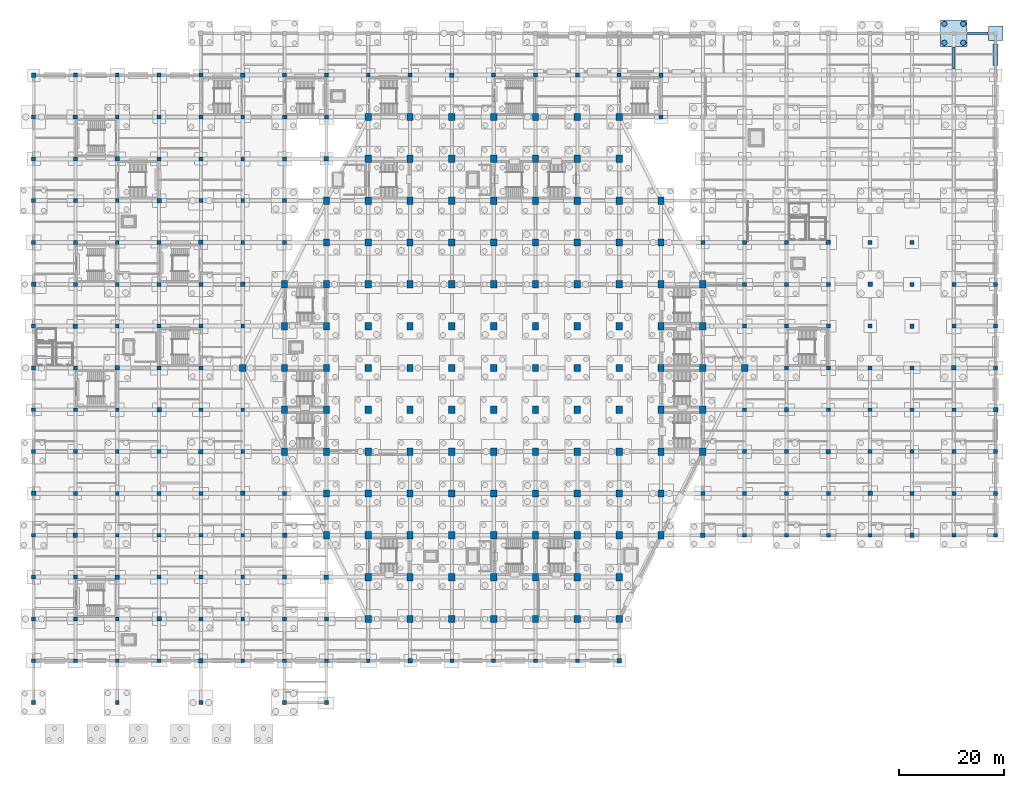
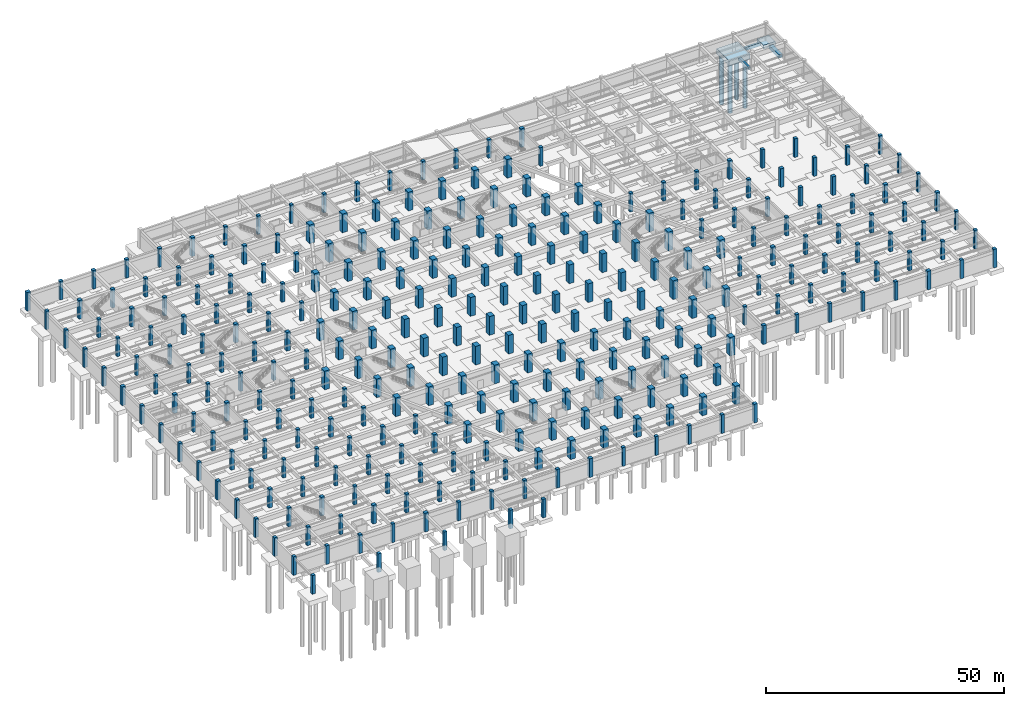
# One storey, part 16 of 36: 303 columns, 5 footings, 4 piles.
"""IFC4 building model written with IfcOpenShell, lengths in metres."""

from ifc_helpers import new_model, si_unit, direction, frame, origin, origin_2d, place, context, subcontext, project, spatial, rectangle, circle, extrude, material, material_profile, profile_set, type_object, element, save


model = new_model("IFC4")

# Units and contexts
model_context = context("Model", 3, precision=1e-05, world=origin(), true_north=direction((0.0, 1.0)))
body_context = subcontext(model_context, "Body", "Model", "MODEL_VIEW")
ifc_project = project(units=[si_unit("LENGTHUNIT", "METRE"), si_unit("AREAUNIT", "SQUARE_METRE"), si_unit("VOLUMEUNIT", "CUBIC_METRE"), si_unit("PLANEANGLEUNIT", "RADIAN"), si_unit("MASSUNIT", "GRAM", prefix="KILO")], contexts=[model_context])

# Site, building, storey
site_placement = place(None, origin())
site = spatial("IfcSite", under=ifc_project, at=site_placement, CompositionType="ELEMENT")
building_placement = place(site_placement, origin())
building = spatial("IfcBuilding", under=site, at=building_placement, Name="Tazarka Park Arena", CompositionType="ELEMENT")
storey_placement = place(building_placement, frame((0.0, 0.0, -4.800048828125)))
storey = spatial("IfcBuildingStorey", under=building, at=storey_placement, Name="B1", CompositionType="ELEMENT", Elevation=-4.800048828125)

# Footings
ifc_material_1 = material(Name="Concrete C35/45", Category="concrete")
footing_type_1 = type_object("IfcFootingType", Name="CAP-PC-08", PredefinedType="PILE_CAP", material=ifc_material_1)
footing_1_placement = place(storey_placement, frame((176.0, 128.0, -1.35009765625), z_axis=(0.0, 0.0, 1.0), x_axis=(1.0, 0.0, 0.0)))
element("IfcFooting", 1, at=footing_1_placement, inside=storey, type_object=footing_type_1, Name="CAP-G-22-16", PredefinedType="PILE_CAP", context=body_context, shape_type="SweptSolid", body=[
    extrude(rectangle(XDim=5.10009765625, YDim=5.10009765625, at=origin_2d()), origin(), (0.0, 0.0, 1.0), 1.35009765625),
])
ifc_material_2 = material(Name="Concrete C35/45", Category="concrete")
ifc_material_profile_1 = material_profile(ifc_material_2, rectangle(XDim=0.449951171875, YDim=0.699951171875, at=origin_2d()), Name="Concrete C35/45")
ifc_profile_set_1 = profile_set([ifc_material_profile_1], Name="Concrete C35/45")
footing_type_2 = type_object("IfcFootingType", Name="GB-GB-01", PredefinedType="FOOTING_BEAM", material=ifc_profile_set_1)
footing_2_placement = place(storey_placement, frame((176.0, 121.179931640625, -0.349853515625), z_axis=(0.0, 1.0, 0.0), x_axis=(-1.0, 0.0, 0.0)))
element("IfcFooting", 2, at=footing_2_placement, inside=storey, type_object=footing_type_2, Name="GB-Y-22-15", PredefinedType="FOOTING_BEAM", context=body_context, shape_type="SweptSolid", body=[
    extrude(rectangle(XDim=0.449951171875, YDim=0.699951171875, at=origin_2d()), origin(), (0.0, 0.0, 1.0), 4.190185546875),
])
ifc_material_3 = material(Name="Concrete C35/45", Category="concrete")
ifc_material_profile_2 = material_profile(ifc_material_3, rectangle(XDim=0.5, YDim=0.800048828125, at=origin_2d()), Name="Concrete C35/45")
ifc_profile_set_2 = profile_set([ifc_material_profile_2], Name="Concrete C35/45")
footing_type_3 = type_object("IfcFootingType", Name="GB-GB-02", PredefinedType="FOOTING_BEAM", material=ifc_profile_set_2)
footing_3_placement = place(storey_placement, frame((178.6298828125, 128.0, -0.39990234375), z_axis=(1.0, 0.0, 0.0), x_axis=(0.0, 1.0, 0.0)))
element("IfcFooting", 3, at=footing_3_placement, inside=storey, type_object=footing_type_3, Name="GB-X-22-16", PredefinedType="FOOTING_BEAM", context=body_context, shape_type="SweptSolid", body=[
    extrude(rectangle(XDim=0.5, YDim=0.800048828125, at=origin_2d()), origin(), (0.0, 0.0, 1.0), 3.89013671875),
])
ifc_material_4 = material(Name="Concrete C35/45", Category="concrete")
footing_type_4 = type_object("IfcFootingType", Name="PAD-PF-02", PredefinedType="PAD_FOOTING", material=ifc_material_4)
footing_4_placement = place(storey_placement, frame((184.0, 128.0, -1.0), z_axis=(0.0, 0.0, 1.0), x_axis=(1.0, 0.0, 0.0)))
element("IfcFooting", 4, at=footing_4_placement, inside=storey, type_object=footing_type_4, Name="PAD-G-23-16", PredefinedType="PAD_FOOTING", context=body_context, shape_type="SweptSolid", body=[
    extrude(rectangle(XDim=2.800048828125, YDim=2.800048828125, at=origin_2d()), origin(), (0.0, 0.0, 1.0), 1.0),
])

# Piles
ifc_material_5 = material(Name="Concrete C35/45", Category="concrete")
ifc_material_profile_3 = material_profile(ifc_material_5, circle(Radius=0.5, at=origin_2d()), Name="Concrete C35/45")
ifc_profile_set_3 = profile_set([ifc_material_profile_3], Name="Concrete C35/45")
pile_type = type_object("IfcPileType", Name="PILE-D1000", PredefinedType="BORED", material=ifc_profile_set_3)
for number, where, z_axis, x_axis, name in (
    (5, (174.18994140625, 126.18994140625, -1.25), (0.0, 0.0, -1.0), (1.0, 0.0, 0.0), "PLN-G-22-16-1"),
    (6, (177.81005859375, 126.18994140625, -1.25), (0.0, 0.0, -1.0), (1.0, 0.0, 0.0), "PLN-G-22-16-2"),
    (7, (174.18994140625, 129.81005859375, -1.25), (0.0, 0.0, -1.0), (1.0, 0.0, 0.0), "PLN-G-22-16-3"),
    (8, (177.81005859375, 129.81005859375, -1.25), (0.0, 0.0, -1.0), (1.0, 0.0, 0.0), "PLN-G-22-16-4"),
):
    element("IfcPile", number, at=place(storey_placement, frame(where, z_axis=z_axis, x_axis=x_axis)), inside=storey, type_object=pile_type, Name=name, PredefinedType="BORED", context=body_context, shape_type="SweptSolid", body=[
        extrude(circle(Radius=0.5, at=origin_2d()), origin(), (0.0, 0.0, 1.0), 12.75),
    ])

# Footing
ifc_material_6 = material(Name="Concrete C35/45", Category="concrete")
ifc_material_profile_4 = material_profile(ifc_material_6, rectangle(XDim=0.949951171875, YDim=0.85009765625, at=origin_2d()), Name="Concrete C35/45")
ifc_profile_set_4 = profile_set([ifc_material_profile_4], Name="Concrete C35/45")
footing_type_5 = type_object("IfcFootingType", Name="SF-SF-01", PredefinedType="STRIP_FOOTING", material=ifc_profile_set_4)
footing_5_placement = place(storey_placement, frame((184.0, 125.919921875, -0.425048828125), z_axis=(0.0, -1.0, 0.0), x_axis=(1.0, 0.0, 0.0)))
element("IfcFooting", 9, at=footing_5_placement, inside=storey, type_object=footing_type_5, Name="SF-EW-0012", PredefinedType="STRIP_FOOTING", context=body_context, shape_type="SweptSolid", body=[
    extrude(rectangle(XDim=0.949951171875, YDim=0.85009765625, at=origin_2d()), origin(), (0.0, 0.0, 1.0), 4.0400390625),
])

# Columns
ifc_material_7 = material(Name="Concrete C40/50", Category="concrete")
ifc_material_profile_5 = material_profile(ifc_material_7, rectangle(XDim=0.75, YDim=0.75, at=origin_2d()), Name="Concrete C40/50")
ifc_profile_set_5 = profile_set([ifc_material_profile_5], Name="Concrete C40/50")
column_type_1 = type_object("IfcColumnType", Name="COL-C-02", PredefinedType="COLUMN", material=ifc_profile_set_5)
for number, where, z_axis, x_axis, name in (
    (10, (0.0, 8.0, 0.0), (0.0, 0.0, 1.0), (1.0, 0.0, 0.0), "CLM-B1-00-01"),
    (11, (0.0, 16.0, 0.0), (0.0, 0.0, 1.0), (1.0, 0.0, 0.0), "CLM-B1-00-02"),
    (12, (0.0, 24.0, 0.0), (0.0, 0.0, 1.0), (1.0, 0.0, 0.0), "CLM-B1-00-03"),
    (13, (0.0, 32.0, 0.0), (0.0, 0.0, 1.0), (1.0, 0.0, 0.0), "CLM-B1-00-04"),
    (14, (0.0, 48.0, 0.0), (0.0, 0.0, 1.0), (1.0, 0.0, 0.0), "CLM-B1-00-06"),
    (15, (0.0, 56.0, 0.0), (0.0, 0.0, 1.0), (1.0, 0.0, 0.0), "CLM-B1-00-07"),
    (16, (0.0, 64.0, 0.0), (0.0, 0.0, 1.0), (1.0, 0.0, 0.0), "CLM-B1-00-08"),
    (17, (0.0, 72.0, 0.0), (0.0, 0.0, 1.0), (1.0, 0.0, 0.0), "CLM-B1-00-09"),
    (18, (0.0, 88.0, 0.0), (0.0, 0.0, 1.0), (1.0, 0.0, 0.0), "CLM-B1-00-11"),
    (19, (0.0, 96.0, 0.0), (0.0, 0.0, 1.0), (1.0, 0.0, 0.0), "CLM-B1-00-12"),
    (20, (0.0, 104.0, 0.0), (0.0, 0.0, 1.0), (1.0, 0.0, 0.0), "CLM-B1-00-13"),
    (21, (0.0, 112.0, 0.0), (0.0, 0.0, 1.0), (1.0, 0.0, 0.0), "CLM-B1-00-14"),
    (22, (8.0, 8.0, 0.0), (0.0, 0.0, 1.0), (1.0, 0.0, 0.0), "CLM-B1-01-01"),
    (23, (8.0, 16.0, 0.0), (0.0, 0.0, 1.0), (1.0, 0.0, 0.0), "CLM-B1-01-02"),
    (24, (8.0, 24.0, 0.0), (0.0, 0.0, 1.0), (1.0, 0.0, 0.0), "CLM-B1-01-03"),
    (25, (8.0, 40.0, 0.0), (0.0, 0.0, 1.0), (1.0, 0.0, 0.0), "CLM-B1-01-05"),
    (26, (8.0, 48.0, 0.0), (0.0, 0.0, 1.0), (1.0, 0.0, 0.0), "CLM-B1-01-06"),
    (27, (8.0, 56.0, 0.0), (0.0, 0.0, 1.0), (1.0, 0.0, 0.0), "CLM-B1-01-07"),
    (28, (8.0, 64.0, 0.0), (0.0, 0.0, 1.0), (1.0, 0.0, 0.0), "CLM-B1-01-08"),
    (29, (8.0, 80.0, 0.0), (0.0, 0.0, 1.0), (1.0, 0.0, 0.0), "CLM-B1-01-10"),
    (30, (8.0, 88.0, 0.0), (0.0, 0.0, 1.0), (1.0, 0.0, 0.0), "CLM-B1-01-11"),
    (31, (8.0, 96.0, 0.0), (0.0, 0.0, 1.0), (1.0, 0.0, 0.0), "CLM-B1-01-12"),
    (32, (8.0, 104.0, 0.0), (0.0, 0.0, 1.0), (1.0, 0.0, 0.0), "CLM-B1-01-13"),
    (33, (8.0, 120.0, 0.0), (0.0, 0.0, 1.0), (1.0, 0.0, 0.0), "CLM-B1-01-15"),
    (34, (16.0, 8.0, 0.0), (0.0, 0.0, 1.0), (1.0, 0.0, 0.0), "CLM-B1-02-01"),
    (35, (16.0, 16.0, 0.0), (0.0, 0.0, 1.0), (1.0, 0.0, 0.0), "CLM-B1-02-02"),
    (36, (16.0, 32.0, 0.0), (0.0, 0.0, 1.0), (1.0, 0.0, 0.0), "CLM-B1-02-04"),
    (37, (16.0, 40.0, 0.0), (0.0, 0.0, 1.0), (1.0, 0.0, 0.0), "CLM-B1-02-05"),
    (38, (16.0, 48.0, 0.0), (0.0, 0.0, 1.0), (1.0, 0.0, 0.0), "CLM-B1-02-06"),
    (39, (16.0, 56.0, 0.0), (0.0, 0.0, 1.0), (1.0, 0.0, 0.0), "CLM-B1-02-07"),
    (40, (16.0, 72.0, 0.0), (0.0, 0.0, 1.0), (1.0, 0.0, 0.0), "CLM-B1-02-09"),
    (41, (16.0, 80.0, 0.0), (0.0, 0.0, 1.0), (1.0, 0.0, 0.0), "CLM-B1-02-10"),
    (42, (16.0, 88.0, 0.0), (0.0, 0.0, 1.0), (1.0, 0.0, 0.0), "CLM-B1-02-11"),
    (43, (16.0, 96.0, 0.0), (0.0, 0.0, 1.0), (1.0, 0.0, 0.0), "CLM-B1-02-12"),
    (44, (16.0, 112.0, 0.0), (0.0, 0.0, 1.0), (1.0, 0.0, 0.0), "CLM-B1-02-14"),
    (45, (16.0, 120.0, 0.0), (0.0, 0.0, 1.0), (1.0, 0.0, 0.0), "CLM-B1-02-15"),
    (46, (24.0, 8.0, 0.0), (0.0, 0.0, 1.0), (1.0, 0.0, 0.0), "CLM-B1-03-01"),
    (47, (24.0, 24.0, 0.0), (0.0, 0.0, 1.0), (1.0, 0.0, 0.0), "CLM-B1-03-03"),
    (48, (24.0, 32.0, 0.0), (0.0, 0.0, 1.0), (1.0, 0.0, 0.0), "CLM-B1-03-04"),
    (49, (24.0, 40.0, 0.0), (0.0, 0.0, 1.0), (1.0, 0.0, 0.0), "CLM-B1-03-05"),
    (50, (24.0, 48.0, 0.0), (0.0, 0.0, 1.0), (1.0, 0.0, 0.0), "CLM-B1-03-06"),
    (51, (24.0, 64.0, 0.0), (0.0, 0.0, 1.0), (1.0, 0.0, 0.0), "CLM-B1-03-08"),
    (52, (24.0, 72.0, 0.0), (0.0, 0.0, 1.0), (1.0, 0.0, 0.0), "CLM-B1-03-09"),
    (53, (24.0, 80.0, 0.0), (0.0, 0.0, 1.0), (1.0, 0.0, 0.0), "CLM-B1-03-10"),
    (54, (24.0, 88.0, 0.0), (0.0, 0.0, 1.0), (1.0, 0.0, 0.0), "CLM-B1-03-11"),
    (55, (24.0, 104.0, 0.0), (0.0, 0.0, 1.0), (1.0, 0.0, 0.0), "CLM-B1-03-13"),
    (56, (24.0, 112.0, 0.0), (0.0, 0.0, 1.0), (1.0, 0.0, 0.0), "CLM-B1-03-14"),
    (57, (24.0, 120.0, 0.0), (0.0, 0.0, 1.0), (1.0, 0.0, 0.0), "CLM-B1-03-15"),
    (58, (32.0, 16.0, 0.0), (0.0, 0.0, 1.0), (1.0, 0.0, 0.0), "CLM-B1-04-02"),
    (59, (32.0, 24.0, 0.0), (0.0, 0.0, 1.0), (1.0, 0.0, 0.0), "CLM-B1-04-03"),
    (60, (32.0, 32.0, 0.0), (0.0, 0.0, 1.0), (1.0, 0.0, 0.0), "CLM-B1-04-04"),
    (61, (32.0, 40.0, 0.0), (0.0, 0.0, 1.0), (1.0, 0.0, 0.0), "CLM-B1-04-05"),
    (62, (32.0, 56.0, 0.0), (0.0, 0.0, 1.0), (1.0, 0.0, 0.0), "CLM-B1-04-07"),
    (63, (32.0, 64.0, 0.0), (0.0, 0.0, 1.0), (1.0, 0.0, 0.0), "CLM-B1-04-08"),
    (64, (32.0, 72.0, 0.0), (0.0, 0.0, 1.0), (1.0, 0.0, 0.0), "CLM-B1-04-09"),
    (65, (32.0, 80.0, 0.0), (0.0, 0.0, 1.0), (1.0, 0.0, 0.0), "CLM-B1-04-10"),
    (66, (32.0, 96.0, 0.0), (0.0, 0.0, 1.0), (1.0, 0.0, 0.0), "CLM-B1-04-12"),
    (67, (32.0, 104.0, 0.0), (0.0, 0.0, 1.0), (1.0, 0.0, 0.0), "CLM-B1-04-13"),
    (68, (32.0, 112.0, 0.0), (0.0, 0.0, 1.0), (1.0, 0.0, 0.0), "CLM-B1-04-14"),
    (69, (32.0, 120.0, 0.0), (0.0, 0.0, 1.0), (1.0, 0.0, 0.0), "CLM-B1-04-15"),
    (70, (40.0, 8.0, 0.0), (0.0, 0.0, 1.0), (1.0, 0.0, 0.0), "CLM-B1-05-01"),
    (71, (40.0, 16.0, 0.0), (0.0, 0.0, 1.0), (1.0, 0.0, 0.0), "CLM-B1-05-02"),
    (72, (40.0, 24.0, 0.0), (0.0, 0.0, 1.0), (1.0, 0.0, 0.0), "CLM-B1-05-03"),
    (73, (40.0, 32.0, 0.0), (0.0, 0.0, 1.0), (1.0, 0.0, 0.0), "CLM-B1-05-04"),
    (74, (40.0, 48.0, 0.0), (0.0, 0.0, 1.0), (1.0, 0.0, 0.0), "CLM-B1-05-06"),
    (75, (40.0, 56.0, 0.0), (0.0, 0.0, 1.0), (1.0, 0.0, 0.0), "CLM-B1-05-07"),
    (76, (40.0, 72.0, 0.0), (0.0, 0.0, 1.0), (1.0, 0.0, 0.0), "CLM-B1-05-09"),
    (77, (40.0, 88.0, 0.0), (0.0, 0.0, 1.0), (1.0, 0.0, 0.0), "CLM-B1-05-11"),
    (78, (40.0, 96.0, 0.0), (0.0, 0.0, 1.0), (1.0, 0.0, 0.0), "CLM-B1-05-12"),
    (79, (40.0, 104.0, 0.0), (0.0, 0.0, 1.0), (1.0, 0.0, 0.0), "CLM-B1-05-13"),
    (80, (40.0, 112.0, 0.0), (0.0, 0.0, 1.0), (1.0, 0.0, 0.0), "CLM-B1-05-14"),
    (81, (48.0, 8.0, 0.0), (0.0, 0.0, 1.0), (1.0, 0.0, 0.0), "CLM-B1-06-01"),
    (82, (48.0, 16.0, 0.0), (0.0, 0.0, 1.0), (1.0, 0.0, 0.0), "CLM-B1-06-02"),
    (83, (48.0, 24.0, 0.0), (0.0, 0.0, 1.0), (1.0, 0.0, 0.0), "CLM-B1-06-03"),
    (84, (48.0, 40.0, 0.0), (0.0, 0.0, 1.0), (1.0, 0.0, 0.0), "CLM-B1-06-05"),
    (85, (48.0, 88.0, 0.0), (0.0, 0.0, 1.0), (1.0, 0.0, 0.0), "CLM-B1-06-11"),
    (86, (48.0, 96.0, 0.0), (0.0, 0.0, 1.0), (1.0, 0.0, 0.0), "CLM-B1-06-12"),
    (87, (48.0, 104.0, 0.0), (0.0, 0.0, 1.0), (1.0, 0.0, 0.0), "CLM-B1-06-13"),
    (88, (48.0, 120.0, 0.0), (0.0, 0.0, 1.0), (1.0, 0.0, 0.0), "CLM-B1-06-15"),
    (89, (56.0, 0.0, 0.0), (0.0, 0.0, 1.0), (1.0, 0.0, 0.0), "CLM-B1-07-00"),
    (90, (56.0, 8.0, 0.0), (0.0, 0.0, 1.0), (1.0, 0.0, 0.0), "CLM-B1-07-01"),
    (91, (56.0, 16.0, 0.0), (0.0, 0.0, 1.0), (1.0, 0.0, 0.0), "CLM-B1-07-02"),
    (92, (56.0, 112.0, 0.0), (0.0, 0.0, 1.0), (1.0, 0.0, 0.0), "CLM-B1-07-14"),
    (93, (56.0, 120.0, 0.0), (0.0, 0.0, 1.0), (1.0, 0.0, 0.0), "CLM-B1-07-15"),
    (94, (64.0, 8.0, 0.0), (0.0, 0.0, 1.0), (1.0, 0.0, 0.0), "CLM-B1-08-01"),
    (95, (64.0, 120.0, 0.0), (0.0, 0.0, 1.0), (1.0, 0.0, 0.0), "CLM-B1-08-15"),
    (96, (72.0, 120.0, 0.0), (0.0, 0.0, 1.0), (1.0, 0.0, 0.0), "CLM-B1-09-15"),
    (97, (80.0, 8.0, 0.0), (0.0, 0.0, 1.0), (1.0, 0.0, 0.0), "CLM-B1-10-01"),
    (98, (88.0, 8.0, 0.0), (0.0, 0.0, 1.0), (1.0, 0.0, 0.0), "CLM-B1-11-01"),
    (99, (88.0, 120.0, 0.0), (0.0, 0.0, 1.0), (1.0, 0.0, 0.0), "CLM-B1-11-15"),
    (100, (96.0, 8.0, 0.0), (0.0, 0.0, 1.0), (1.0, 0.0, 0.0), "CLM-B1-12-01"),
    (101, (96.0, 120.0, 0.0), (0.0, 0.0, 1.0), (1.0, 0.0, 0.0), "CLM-B1-12-15"),
    (102, (104.0, 8.0, 0.0), (0.0, 0.0, 1.0), (1.0, 0.0, 0.0), "CLM-B1-13-01"),
    (103, (104.0, 120.0, 0.0), (0.0, 0.0, 1.0), (1.0, 0.0, 0.0), "CLM-B1-13-15"),
    (104, (112.0, 120.0, 0.0), (0.0, 0.0, 1.0), (1.0, 0.0, 0.0), "CLM-B1-14-15"),
    (105, (120.0, 112.0, 0.0), (0.0, 0.0, 1.0), (1.0, 0.0, 0.0), "CLM-B1-15-14"),
    (106, (128.0, 40.0, 0.0), (0.0, 0.0, 1.0), (1.0, 0.0, 0.0), "CLM-B1-16-05"),
    (107, (128.0, 88.0, 0.0), (0.0, 0.0, 1.0), (1.0, 0.0, 0.0), "CLM-B1-16-11"),
    (108, (136.0, 32.0, 0.0), (0.0, 0.0, 1.0), (1.0, 0.0, 0.0), "CLM-B1-17-04"),
    (109, (136.0, 40.0, 0.0), (0.0, 0.0, 1.0), (1.0, 0.0, 0.0), "CLM-B1-17-05"),
    (110, (136.0, 48.0, 0.0), (0.0, 0.0, 1.0), (1.0, 0.0, 0.0), "CLM-B1-17-06"),
    (111, (136.0, 56.0, 0.0), (0.0, 0.0, 1.0), (1.0, 0.0, 0.0), "CLM-B1-17-07"),
    (112, (136.0, 72.0, 0.0), (0.0, 0.0, 1.0), (1.0, 0.0, 0.0), "CLM-B1-17-09"),
    (113, (136.0, 80.0, 0.0), (0.0, 0.0, 1.0), (1.0, 0.0, 0.0), "CLM-B1-17-10"),
    (114, (136.0, 88.0, 0.0), (0.0, 0.0, 1.0), (1.0, 0.0, 0.0), "CLM-B1-17-11"),
    (115, (144.0, 32.0, 0.0), (0.0, 0.0, 1.0), (1.0, 0.0, 0.0), "CLM-B1-18-04"),
    (116, (144.0, 40.0, 0.0), (0.0, 0.0, 1.0), (1.0, 0.0, 0.0), "CLM-B1-18-05"),
    (117, (144.0, 48.0, 0.0), (0.0, 0.0, 1.0), (1.0, 0.0, 0.0), "CLM-B1-18-06"),
    (118, (144.0, 64.0, 0.0), (0.0, 0.0, 1.0), (1.0, 0.0, 0.0), "CLM-B1-18-08"),
    (119, (144.0, 72.0, 0.0), (0.0, 0.0, 1.0), (1.0, 0.0, 0.0), "CLM-B1-18-09"),
    (120, (144.0, 80.0, 0.0), (0.0, 0.0, 1.0), (1.0, 0.0, 0.0), "CLM-B1-18-10"),
    (121, (144.0, 88.0, 0.0), (0.0, 0.0, 1.0), (1.0, 0.0, 0.0), "CLM-B1-18-11"),
    (122, (152.0, 32.0, 0.0), (0.0, 0.0, 1.0), (1.0, 0.0, 0.0), "CLM-B1-19-04"),
    (123, (152.0, 40.0, 0.0), (0.0, 0.0, 1.0), (1.0, 0.0, 0.0), "CLM-B1-19-05"),
    (124, (152.0, 56.0, 0.0), (0.0, 0.0, 1.0), (1.0, 0.0, 0.0), "CLM-B1-19-07"),
    (125, (152.0, 64.0, 0.0), (0.0, 0.0, 1.0), (1.0, 0.0, 0.0), "CLM-B1-19-08"),
    (126, (152.0, 72.0, 0.0), (0.0, 0.0, 1.0), (1.0, 0.0, 0.0), "CLM-B1-19-09"),
    (127, (152.0, 80.0, 0.0), (0.0, 0.0, 1.0), (1.0, 0.0, 0.0), "CLM-B1-19-10"),
    (128, (160.0, 32.0, 0.0), (0.0, 0.0, 1.0), (1.0, 0.0, 0.0), "CLM-B1-20-04"),
    (129, (160.0, 48.0, 0.0), (0.0, 0.0, 1.0), (1.0, 0.0, 0.0), "CLM-B1-20-06"),
    (130, (160.0, 56.0, 0.0), (0.0, 0.0, 1.0), (1.0, 0.0, 0.0), "CLM-B1-20-07"),
    (131, (160.0, 64.0, 0.0), (0.0, 0.0, 1.0), (1.0, 0.0, 0.0), "CLM-B1-20-08"),
    (132, (160.0, 72.0, 0.0), (0.0, 0.0, 1.0), (1.0, 0.0, 0.0), "CLM-B1-20-09"),
    (133, (160.0, 88.0, 0.0), (0.0, 0.0, 1.0), (1.0, 0.0, 0.0), "CLM-B1-20-11"),
    (134, (168.0, 40.0, 0.0), (0.0, 0.0, 1.0), (1.0, 0.0, 0.0), "CLM-B1-21-05"),
    (135, (168.0, 48.0, 0.0), (0.0, 0.0, 1.0), (1.0, 0.0, 0.0), "CLM-B1-21-06"),
    (136, (168.0, 56.0, 0.0), (0.0, 0.0, 1.0), (1.0, 0.0, 0.0), "CLM-B1-21-07"),
    (137, (168.0, 64.0, 0.0), (0.0, 0.0, 1.0), (1.0, 0.0, 0.0), "CLM-B1-21-08"),
    (138, (168.0, 80.0, 0.0), (0.0, 0.0, 1.0), (1.0, 0.0, 0.0), "CLM-B1-21-10"),
    (139, (168.0, 88.0, 0.0), (0.0, 0.0, 1.0), (1.0, 0.0, 0.0), "CLM-B1-21-11"),
    (140, (176.0, 32.0, 0.0), (0.0, 0.0, 1.0), (1.0, 0.0, 0.0), "CLM-B1-22-04"),
    (141, (176.0, 40.0, 0.0), (0.0, 0.0, 1.0), (1.0, 0.0, 0.0), "CLM-B1-22-05"),
    (142, (176.0, 48.0, 0.0), (0.0, 0.0, 1.0), (1.0, 0.0, 0.0), "CLM-B1-22-06"),
    (143, (176.0, 56.0, 0.0), (0.0, 0.0, 1.0), (1.0, 0.0, 0.0), "CLM-B1-22-07"),
    (144, (176.0, 72.0, 0.0), (0.0, 0.0, 1.0), (1.0, 0.0, 0.0), "CLM-B1-22-09"),
    (145, (176.0, 80.0, 0.0), (0.0, 0.0, 1.0), (1.0, 0.0, 0.0), "CLM-B1-22-10"),
    (146, (184.0, 32.0, 0.0), (0.0, 0.0, 1.0), (1.0, 0.0, 0.0), "CLM-B1-23-04"),
    (147, (184.0, 40.0, 0.0), (0.0, 0.0, 1.0), (1.0, 0.0, 0.0), "CLM-B1-23-05"),
    (148, (184.0, 48.0, 0.0), (0.0, 0.0, 1.0), (1.0, 0.0, 0.0), "CLM-B1-23-06"),
    (149, (184.0, 64.0, 0.0), (0.0, 0.0, 1.0), (1.0, 0.0, 0.0), "CLM-B1-23-08"),
    (150, (184.0, 72.0, 0.0), (0.0, 0.0, 1.0), (1.0, 0.0, 0.0), "CLM-B1-23-09"),
    (151, (184.0, 80.0, 0.0), (0.0, 0.0, 1.0), (1.0, 0.0, 0.0), "CLM-B1-23-10"),
):
    element("IfcColumn", number, at=place(storey_placement, frame(where, z_axis=z_axis, x_axis=x_axis)), inside=storey, type_object=column_type_1, Name=name, PredefinedType="COLUMN", context=body_context, shape_type="SweptSolid", body=[
        extrude(rectangle(XDim=0.75, YDim=0.75, at=origin_2d()), origin(), (0.0, 0.0, 1.0), 4.800048828125),
    ])
ifc_material_8 = material(Name="Concrete C50/60", Category="concrete")
ifc_material_profile_6 = material_profile(ifc_material_8, rectangle(XDim=1.199951171875, YDim=1.39990234375, at=origin_2d()), Name="Concrete C50/60")
ifc_profile_set_6 = profile_set([ifc_material_profile_6], Name="Concrete C50/60")
column_type_2 = type_object("IfcColumnType", Name="COL-C-05", PredefinedType="COLUMN", material=ifc_profile_set_6)
for number, where, z_axis, x_axis, name in (
    (152, (40.0, 64.0, 0.0), (0.0, 0.0, 1.0), (1.0, 0.0, 0.0), "CLM-B1-05-08"),
    (153, (48.0, 48.0, 0.0), (0.0, 0.0, 1.0), (1.0, 0.0, 0.0), "CLM-B1-06-06"),
    (154, (48.0, 56.0, 0.0), (0.0, 0.0, 1.0), (1.0, 0.0, 0.0), "CLM-B1-06-07"),
    (155, (48.0, 64.0, 0.0), (0.0, 0.0, 1.0), (1.0, 0.0, 0.0), "CLM-B1-06-08"),
    (156, (48.0, 72.0, 0.0), (0.0, 0.0, 1.0), (1.0, 0.0, 0.0), "CLM-B1-06-09"),
    (157, (48.0, 80.0, 0.0), (0.0, 0.0, 1.0), (1.0, 0.0, 0.0), "CLM-B1-06-10"),
    (158, (56.0, 32.0, 0.0), (0.0, 0.0, 1.0), (1.0, 0.0, 0.0), "CLM-B1-07-04"),
    (159, (56.0, 40.0, 0.0), (0.0, 0.0, 1.0), (1.0, 0.0, 0.0), "CLM-B1-07-05"),
    (160, (56.0, 48.0, 0.0), (0.0, 0.0, 1.0), (1.0, 0.0, 0.0), "CLM-B1-07-06"),
    (161, (56.0, 56.0, 0.0), (0.0, 0.0, 1.0), (1.0, 0.0, 0.0), "CLM-B1-07-07"),
    (162, (56.0, 64.0, 0.0), (0.0, 0.0, 1.0), (1.0, 0.0, 0.0), "CLM-B1-07-08"),
    (163, (56.0, 72.0, 0.0), (0.0, 0.0, 1.0), (1.0, 0.0, 0.0), "CLM-B1-07-09"),
    (164, (56.0, 80.0, 0.0), (0.0, 0.0, 1.0), (1.0, 0.0, 0.0), "CLM-B1-07-10"),
    (165, (56.0, 88.0, 0.0), (0.0, 0.0, 1.0), (1.0, 0.0, 0.0), "CLM-B1-07-11"),
    (166, (56.0, 96.0, 0.0), (0.0, 0.0, 1.0), (1.0, 0.0, 0.0), "CLM-B1-07-12"),
    (167, (64.0, 16.0, 0.0), (0.0, 0.0, 1.0), (1.0, 0.0, 0.0), "CLM-B1-08-02"),
    (168, (64.0, 24.0, 0.0), (0.0, 0.0, 1.0), (1.0, 0.0, 0.0), "CLM-B1-08-03"),
    (169, (64.0, 32.0, 0.0), (0.0, 0.0, 1.0), (1.0, 0.0, 0.0), "CLM-B1-08-04"),
    (170, (64.0, 40.0, 0.0), (0.0, 0.0, 1.0), (1.0, 0.0, 0.0), "CLM-B1-08-05"),
    (171, (64.0, 48.0, 0.0), (0.0, 0.0, 1.0), (1.0, 0.0, 0.0), "CLM-B1-08-06"),
    (172, (64.0, 56.0, 0.0), (0.0, 0.0, 1.0), (1.0, 0.0, 0.0), "CLM-B1-08-07"),
    (173, (64.0, 64.0, 0.0), (0.0, 0.0, 1.0), (1.0, 0.0, 0.0), "CLM-B1-08-08"),
    (174, (64.0, 72.0, 0.0), (0.0, 0.0, 1.0), (1.0, 0.0, 0.0), "CLM-B1-08-09"),
    (175, (64.0, 80.0, 0.0), (0.0, 0.0, 1.0), (1.0, 0.0, 0.0), "CLM-B1-08-10"),
    (176, (64.0, 88.0, 0.0), (0.0, 0.0, 1.0), (1.0, 0.0, 0.0), "CLM-B1-08-11"),
    (177, (64.0, 96.0, 0.0), (0.0, 0.0, 1.0), (1.0, 0.0, 0.0), "CLM-B1-08-12"),
    (178, (64.0, 104.0, 0.0), (0.0, 0.0, 1.0), (1.0, 0.0, 0.0), "CLM-B1-08-13"),
    (179, (64.0, 112.0, 0.0), (0.0, 0.0, 1.0), (1.0, 0.0, 0.0), "CLM-B1-08-14"),
    (180, (72.0, 16.0, 0.0), (0.0, 0.0, 1.0), (1.0, 0.0, 0.0), "CLM-B1-09-02"),
    (181, (72.0, 24.0, 0.0), (0.0, 0.0, 1.0), (1.0, 0.0, 0.0), "CLM-B1-09-03"),
    (182, (72.0, 32.0, 0.0), (0.0, 0.0, 1.0), (1.0, 0.0, 0.0), "CLM-B1-09-04"),
    (183, (72.0, 40.0, 0.0), (0.0, 0.0, 1.0), (1.0, 0.0, 0.0), "CLM-B1-09-05"),
    (184, (72.0, 48.0, 0.0), (0.0, 0.0, 1.0), (1.0, 0.0, 0.0), "CLM-B1-09-06"),
    (185, (72.0, 56.0, 0.0), (0.0, 0.0, 1.0), (1.0, 0.0, 0.0), "CLM-B1-09-07"),
    (186, (72.0, 64.0, 0.0), (0.0, 0.0, 1.0), (1.0, 0.0, 0.0), "CLM-B1-09-08"),
    (187, (72.0, 72.0, 0.0), (0.0, 0.0, 1.0), (1.0, 0.0, 0.0), "CLM-B1-09-09"),
    (188, (72.0, 80.0, 0.0), (0.0, 0.0, 1.0), (1.0, 0.0, 0.0), "CLM-B1-09-10"),
    (189, (72.0, 88.0, 0.0), (0.0, 0.0, 1.0), (1.0, 0.0, 0.0), "CLM-B1-09-11"),
    (190, (72.0, 96.0, 0.0), (0.0, 0.0, 1.0), (1.0, 0.0, 0.0), "CLM-B1-09-12"),
    (191, (72.0, 104.0, 0.0), (0.0, 0.0, 1.0), (1.0, 0.0, 0.0), "CLM-B1-09-13"),
    (192, (72.0, 112.0, 0.0), (0.0, 0.0, 1.0), (1.0, 0.0, 0.0), "CLM-B1-09-14"),
    (193, (80.0, 16.0, 0.0), (0.0, 0.0, 1.0), (1.0, 0.0, 0.0), "CLM-B1-10-02"),
    (194, (80.0, 24.0, 0.0), (0.0, 0.0, 1.0), (1.0, 0.0, 0.0), "CLM-B1-10-03"),
    (195, (80.0, 32.0, 0.0), (0.0, 0.0, 1.0), (1.0, 0.0, 0.0), "CLM-B1-10-04"),
    (196, (80.0, 40.0, 0.0), (0.0, 0.0, 1.0), (1.0, 0.0, 0.0), "CLM-B1-10-05"),
    (197, (80.0, 48.0, 0.0), (0.0, 0.0, 1.0), (1.0, 0.0, 0.0), "CLM-B1-10-06"),
    (198, (80.0, 56.0, 0.0), (0.0, 0.0, 1.0), (1.0, 0.0, 0.0), "CLM-B1-10-07"),
    (199, (80.0, 64.0, 0.0), (0.0, 0.0, 1.0), (1.0, 0.0, 0.0), "CLM-B1-10-08"),
    (200, (80.0, 72.0, 0.0), (0.0, 0.0, 1.0), (1.0, 0.0, 0.0), "CLM-B1-10-09"),
    (201, (80.0, 80.0, 0.0), (0.0, 0.0, 1.0), (1.0, 0.0, 0.0), "CLM-B1-10-10"),
    (202, (80.0, 88.0, 0.0), (0.0, 0.0, 1.0), (1.0, 0.0, 0.0), "CLM-B1-10-11"),
    (203, (80.0, 96.0, 0.0), (0.0, 0.0, 1.0), (1.0, 0.0, 0.0), "CLM-B1-10-12"),
    (204, (80.0, 104.0, 0.0), (0.0, 0.0, 1.0), (1.0, 0.0, 0.0), "CLM-B1-10-13"),
    (205, (80.0, 112.0, 0.0), (0.0, 0.0, 1.0), (1.0, 0.0, 0.0), "CLM-B1-10-14"),
    (206, (88.0, 16.0, 0.0), (0.0, 0.0, 1.0), (1.0, 0.0, 0.0), "CLM-B1-11-02"),
    (207, (88.0, 24.0, 0.0), (0.0, 0.0, 1.0), (1.0, 0.0, 0.0), "CLM-B1-11-03"),
    (208, (88.0, 32.0, 0.0), (0.0, 0.0, 1.0), (1.0, 0.0, 0.0), "CLM-B1-11-04"),
    (209, (88.0, 40.0, 0.0), (0.0, 0.0, 1.0), (1.0, 0.0, 0.0), "CLM-B1-11-05"),
    (210, (88.0, 48.0, 0.0), (0.0, 0.0, 1.0), (1.0, 0.0, 0.0), "CLM-B1-11-06"),
    (211, (88.0, 56.0, 0.0), (0.0, 0.0, 1.0), (1.0, 0.0, 0.0), "CLM-B1-11-07"),
    (212, (88.0, 64.0, 0.0), (0.0, 0.0, 1.0), (1.0, 0.0, 0.0), "CLM-B1-11-08"),
    (213, (88.0, 72.0, 0.0), (0.0, 0.0, 1.0), (1.0, 0.0, 0.0), "CLM-B1-11-09"),
    (214, (88.0, 80.0, 0.0), (0.0, 0.0, 1.0), (1.0, 0.0, 0.0), "CLM-B1-11-10"),
    (215, (88.0, 88.0, 0.0), (0.0, 0.0, 1.0), (1.0, 0.0, 0.0), "CLM-B1-11-11"),
    (216, (88.0, 96.0, 0.0), (0.0, 0.0, 1.0), (1.0, 0.0, 0.0), "CLM-B1-11-12"),
    (217, (88.0, 104.0, 0.0), (0.0, 0.0, 1.0), (1.0, 0.0, 0.0), "CLM-B1-11-13"),
    (218, (88.0, 112.0, 0.0), (0.0, 0.0, 1.0), (1.0, 0.0, 0.0), "CLM-B1-11-14"),
    (219, (96.0, 16.0, 0.0), (0.0, 0.0, 1.0), (1.0, 0.0, 0.0), "CLM-B1-12-02"),
    (220, (96.0, 24.0, 0.0), (0.0, 0.0, 1.0), (1.0, 0.0, 0.0), "CLM-B1-12-03"),
    (221, (96.0, 32.0, 0.0), (0.0, 0.0, 1.0), (1.0, 0.0, 0.0), "CLM-B1-12-04"),
    (222, (96.0, 40.0, 0.0), (0.0, 0.0, 1.0), (1.0, 0.0, 0.0), "CLM-B1-12-05"),
    (223, (96.0, 48.0, 0.0), (0.0, 0.0, 1.0), (1.0, 0.0, 0.0), "CLM-B1-12-06"),
    (224, (96.0, 56.0, 0.0), (0.0, 0.0, 1.0), (1.0, 0.0, 0.0), "CLM-B1-12-07"),
    (225, (96.0, 64.0, 0.0), (0.0, 0.0, 1.0), (1.0, 0.0, 0.0), "CLM-B1-12-08"),
    (226, (96.0, 72.0, 0.0), (0.0, 0.0, 1.0), (1.0, 0.0, 0.0), "CLM-B1-12-09"),
    (227, (96.0, 80.0, 0.0), (0.0, 0.0, 1.0), (1.0, 0.0, 0.0), "CLM-B1-12-10"),
    (228, (96.0, 88.0, 0.0), (0.0, 0.0, 1.0), (1.0, 0.0, 0.0), "CLM-B1-12-11"),
    (229, (96.0, 96.0, 0.0), (0.0, 0.0, 1.0), (1.0, 0.0, 0.0), "CLM-B1-12-12"),
    (230, (96.0, 104.0, 0.0), (0.0, 0.0, 1.0), (1.0, 0.0, 0.0), "CLM-B1-12-13"),
    (231, (96.0, 112.0, 0.0), (0.0, 0.0, 1.0), (1.0, 0.0, 0.0), "CLM-B1-12-14"),
    (232, (104.0, 16.0, 0.0), (0.0, 0.0, 1.0), (1.0, 0.0, 0.0), "CLM-B1-13-02"),
    (233, (104.0, 24.0, 0.0), (0.0, 0.0, 1.0), (1.0, 0.0, 0.0), "CLM-B1-13-03"),
    (234, (104.0, 32.0, 0.0), (0.0, 0.0, 1.0), (1.0, 0.0, 0.0), "CLM-B1-13-04"),
    (235, (104.0, 40.0, 0.0), (0.0, 0.0, 1.0), (1.0, 0.0, 0.0), "CLM-B1-13-05"),
    (236, (104.0, 48.0, 0.0), (0.0, 0.0, 1.0), (1.0, 0.0, 0.0), "CLM-B1-13-06"),
    (237, (104.0, 56.0, 0.0), (0.0, 0.0, 1.0), (1.0, 0.0, 0.0), "CLM-B1-13-07"),
    (238, (104.0, 64.0, 0.0), (0.0, 0.0, 1.0), (1.0, 0.0, 0.0), "CLM-B1-13-08"),
    (239, (104.0, 72.0, 0.0), (0.0, 0.0, 1.0), (1.0, 0.0, 0.0), "CLM-B1-13-09"),
    (240, (104.0, 80.0, 0.0), (0.0, 0.0, 1.0), (1.0, 0.0, 0.0), "CLM-B1-13-10"),
    (241, (104.0, 88.0, 0.0), (0.0, 0.0, 1.0), (1.0, 0.0, 0.0), "CLM-B1-13-11"),
    (242, (104.0, 96.0, 0.0), (0.0, 0.0, 1.0), (1.0, 0.0, 0.0), "CLM-B1-13-12"),
    (243, (104.0, 104.0, 0.0), (0.0, 0.0, 1.0), (1.0, 0.0, 0.0), "CLM-B1-13-13"),
    (244, (104.0, 112.0, 0.0), (0.0, 0.0, 1.0), (1.0, 0.0, 0.0), "CLM-B1-13-14"),
    (245, (112.0, 16.0, 0.0), (0.0, 0.0, 1.0), (1.0, 0.0, 0.0), "CLM-B1-14-02"),
    (246, (112.0, 24.0, 0.0), (0.0, 0.0, 1.0), (1.0, 0.0, 0.0), "CLM-B1-14-03"),
    (247, (112.0, 32.0, 0.0), (0.0, 0.0, 1.0), (1.0, 0.0, 0.0), "CLM-B1-14-04"),
    (248, (112.0, 40.0, 0.0), (0.0, 0.0, 1.0), (1.0, 0.0, 0.0), "CLM-B1-14-05"),
    (249, (112.0, 48.0, 0.0), (0.0, 0.0, 1.0), (1.0, 0.0, 0.0), "CLM-B1-14-06"),
    (250, (112.0, 56.0, 0.0), (0.0, 0.0, 1.0), (1.0, 0.0, 0.0), "CLM-B1-14-07"),
    (251, (112.0, 64.0, 0.0), (0.0, 0.0, 1.0), (1.0, 0.0, 0.0), "CLM-B1-14-08"),
    (252, (112.0, 72.0, 0.0), (0.0, 0.0, 1.0), (1.0, 0.0, 0.0), "CLM-B1-14-09"),
    (253, (112.0, 80.0, 0.0), (0.0, 0.0, 1.0), (1.0, 0.0, 0.0), "CLM-B1-14-10"),
    (254, (112.0, 88.0, 0.0), (0.0, 0.0, 1.0), (1.0, 0.0, 0.0), "CLM-B1-14-11"),
    (255, (112.0, 96.0, 0.0), (0.0, 0.0, 1.0), (1.0, 0.0, 0.0), "CLM-B1-14-12"),
    (256, (112.0, 104.0, 0.0), (0.0, 0.0, 1.0), (1.0, 0.0, 0.0), "CLM-B1-14-13"),
    (257, (112.0, 112.0, 0.0), (0.0, 0.0, 1.0), (1.0, 0.0, 0.0), "CLM-B1-14-14"),
    (258, (120.0, 32.0, 0.0), (0.0, 0.0, 1.0), (1.0, 0.0, 0.0), "CLM-B1-15-04"),
    (259, (120.0, 40.0, 0.0), (0.0, 0.0, 1.0), (1.0, 0.0, 0.0), "CLM-B1-15-05"),
    (260, (120.0, 48.0, 0.0), (0.0, 0.0, 1.0), (1.0, 0.0, 0.0), "CLM-B1-15-06"),
    (261, (120.0, 56.0, 0.0), (0.0, 0.0, 1.0), (1.0, 0.0, 0.0), "CLM-B1-15-07"),
    (262, (120.0, 64.0, 0.0), (0.0, 0.0, 1.0), (1.0, 0.0, 0.0), "CLM-B1-15-08"),
    (263, (120.0, 72.0, 0.0), (0.0, 0.0, 1.0), (1.0, 0.0, 0.0), "CLM-B1-15-09"),
    (264, (120.0, 80.0, 0.0), (0.0, 0.0, 1.0), (1.0, 0.0, 0.0), "CLM-B1-15-10"),
    (265, (120.0, 88.0, 0.0), (0.0, 0.0, 1.0), (1.0, 0.0, 0.0), "CLM-B1-15-11"),
    (266, (120.0, 96.0, 0.0), (0.0, 0.0, 1.0), (1.0, 0.0, 0.0), "CLM-B1-15-12"),
    (267, (128.0, 48.0, 0.0), (0.0, 0.0, 1.0), (1.0, 0.0, 0.0), "CLM-B1-16-06"),
    (268, (128.0, 56.0, 0.0), (0.0, 0.0, 1.0), (1.0, 0.0, 0.0), "CLM-B1-16-07"),
    (269, (128.0, 64.0, 0.0), (0.0, 0.0, 1.0), (1.0, 0.0, 0.0), "CLM-B1-16-08"),
    (270, (128.0, 72.0, 0.0), (0.0, 0.0, 1.0), (1.0, 0.0, 0.0), "CLM-B1-16-09"),
    (271, (128.0, 80.0, 0.0), (0.0, 0.0, 1.0), (1.0, 0.0, 0.0), "CLM-B1-16-10"),
    (272, (136.0, 64.0, 0.0), (0.0, 0.0, 1.0), (1.0, 0.0, 0.0), "CLM-B1-17-08"),
):
    element("IfcColumn", number, at=place(storey_placement, frame(where, z_axis=z_axis, x_axis=x_axis)), inside=storey, type_object=column_type_2, Name=name, PredefinedType="COLUMN", context=body_context, shape_type="SweptSolid", body=[
        extrude(rectangle(XDim=1.199951171875, YDim=1.39990234375, at=origin_2d()), origin(), (0.0, 0.0, 1.0), 4.800048828125),
    ])
ifc_material_9 = material(Name="Concrete C40/50", Category="concrete")
ifc_material_profile_7 = material_profile(ifc_material_9, rectangle(XDim=0.75, YDim=0.75, at=origin_2d()), Name="Concrete C40/50")
ifc_profile_set_7 = profile_set([ifc_material_profile_7], Name="Concrete C40/50")
column_type_3 = type_object("IfcColumnType", Name="COL-C-06", PredefinedType="COLUMN", material=ifc_profile_set_7)
for number, where, z_axis, x_axis, name in (
    (273, (0.0, 0.0, 0.0), (0.0, 0.0, 1.0), (1.0, 0.0, 0.0), "CLM-B1-00-00"),
    (274, (16.0, 0.0, 0.0), (0.0, 0.0, 1.0), (1.0, 0.0, 0.0), "CLM-B1-02-00"),
    (275, (32.0, 0.0, 0.0), (0.0, 0.0, 1.0), (1.0, 0.0, 0.0), "CLM-B1-04-00"),
    (276, (48.0, 0.0, 0.0), (0.0, 0.0, 1.0), (1.0, 0.0, 0.0), "CLM-B1-06-00"),
):
    element("IfcColumn", number, at=place(storey_placement, frame(where, z_axis=z_axis, x_axis=x_axis)), inside=storey, type_object=column_type_3, Name=name, PredefinedType="COLUMN", context=body_context, shape_type="SweptSolid", body=[
        extrude(rectangle(XDim=0.75, YDim=0.75, at=origin_2d()), origin(), (0.0, 0.0, 1.0), 4.800048828125),
    ])
ifc_material_10 = material(Name="Concrete C40/50", Category="concrete")
ifc_material_profile_8 = material_profile(ifc_material_10, rectangle(XDim=0.85009765625, YDim=0.85009765625, at=origin_2d()), Name="Concrete C40/50")
ifc_profile_set_8 = profile_set([ifc_material_profile_8], Name="Concrete C40/50")
column_type_4 = type_object("IfcColumnType", Name="COL-C-10", PredefinedType="COLUMN", material=ifc_profile_set_8)
for number, where, z_axis, x_axis, name in (
    (277, (0.0, 40.0, 0.0), (0.0, 0.0, 1.0), (1.0, 0.0, 0.0), "CLM-B1-00-05"),
    (278, (0.0, 80.0, 0.0), (0.0, 0.0, 1.0), (1.0, 0.0, 0.0), "CLM-B1-00-10"),
    (279, (0.0, 120.0, 0.0), (0.0, 0.0, 1.0), (1.0, 0.0, 0.0), "CLM-B1-00-15"),
    (280, (8.0, 32.0, 0.0), (0.0, 0.0, 1.0), (1.0, 0.0, 0.0), "CLM-B1-01-04"),
    (281, (8.0, 72.0, 0.0), (0.0, 0.0, 1.0), (1.0, 0.0, 0.0), "CLM-B1-01-09"),
    (282, (8.0, 112.0, 0.0), (0.0, 0.0, 1.0), (1.0, 0.0, 0.0), "CLM-B1-01-14"),
    (283, (16.0, 24.0, 0.0), (0.0, 0.0, 1.0), (1.0, 0.0, 0.0), "CLM-B1-02-03"),
    (284, (16.0, 64.0, 0.0), (0.0, 0.0, 1.0), (1.0, 0.0, 0.0), "CLM-B1-02-08"),
    (285, (16.0, 104.0, 0.0), (0.0, 0.0, 1.0), (1.0, 0.0, 0.0), "CLM-B1-02-13"),
    (286, (24.0, 16.0, 0.0), (0.0, 0.0, 1.0), (1.0, 0.0, 0.0), "CLM-B1-03-02"),
    (287, (24.0, 56.0, 0.0), (0.0, 0.0, 1.0), (1.0, 0.0, 0.0), "CLM-B1-03-07"),
    (288, (24.0, 96.0, 0.0), (0.0, 0.0, 1.0), (1.0, 0.0, 0.0), "CLM-B1-03-12"),
    (289, (32.0, 8.0, 0.0), (0.0, 0.0, 1.0), (1.0, 0.0, 0.0), "CLM-B1-04-01"),
    (290, (32.0, 48.0, 0.0), (0.0, 0.0, 1.0), (1.0, 0.0, 0.0), "CLM-B1-04-06"),
    (291, (32.0, 88.0, 0.0), (0.0, 0.0, 1.0), (1.0, 0.0, 0.0), "CLM-B1-04-11"),
    (292, (40.0, 40.0, 0.0), (0.0, 0.0, 1.0), (1.0, 0.0, 0.0), "CLM-B1-05-05"),
    (293, (40.0, 80.0, 0.0), (0.0, 0.0, 1.0), (1.0, 0.0, 0.0), "CLM-B1-05-10"),
    (294, (40.0, 120.0, 0.0), (0.0, 0.0, 1.0), (1.0, 0.0, 0.0), "CLM-B1-05-15"),
    (295, (48.0, 32.0, 0.0), (0.0, 0.0, 1.0), (1.0, 0.0, 0.0), "CLM-B1-06-04"),
    (296, (48.0, 112.0, 0.0), (0.0, 0.0, 1.0), (1.0, 0.0, 0.0), "CLM-B1-06-14"),
    (297, (56.0, 24.0, 0.0), (0.0, 0.0, 1.0), (1.0, 0.0, 0.0), "CLM-B1-07-03"),
    (298, (56.0, 104.0, 0.0), (0.0, 0.0, 1.0), (1.0, 0.0, 0.0), "CLM-B1-07-13"),
    (299, (72.0, 8.0, 0.0), (0.0, 0.0, 1.0), (1.0, 0.0, 0.0), "CLM-B1-09-01"),
    (300, (80.0, 120.0, 0.0), (0.0, 0.0, 1.0), (1.0, 0.0, 0.0), "CLM-B1-10-15"),
    (301, (112.0, 8.0, 0.0), (0.0, 0.0, 1.0), (1.0, 0.0, 0.0), "CLM-B1-14-01"),
    (302, (120.0, 120.0, 0.0), (0.0, 0.0, 1.0), (1.0, 0.0, 0.0), "CLM-B1-15-15"),
    (303, (128.0, 32.0, 0.0), (0.0, 0.0, 1.0), (1.0, 0.0, 0.0), "CLM-B1-16-04"),
    (304, (144.0, 56.0, 0.0), (0.0, 0.0, 1.0), (1.0, 0.0, 0.0), "CLM-B1-18-07"),
    (305, (152.0, 48.0, 0.0), (0.0, 0.0, 1.0), (1.0, 0.0, 0.0), "CLM-B1-19-06"),
    (306, (152.0, 88.0, 0.0), (0.0, 0.0, 1.0), (1.0, 0.0, 0.0), "CLM-B1-19-11"),
    (307, (160.0, 40.0, 0.0), (0.0, 0.0, 1.0), (1.0, 0.0, 0.0), "CLM-B1-20-05"),
    (308, (160.0, 80.0, 0.0), (0.0, 0.0, 1.0), (1.0, 0.0, 0.0), "CLM-B1-20-10"),
    (309, (168.0, 32.0, 0.0), (0.0, 0.0, 1.0), (1.0, 0.0, 0.0), "CLM-B1-21-04"),
    (310, (168.0, 72.0, 0.0), (0.0, 0.0, 1.0), (1.0, 0.0, 0.0), "CLM-B1-21-09"),
    (311, (176.0, 64.0, 0.0), (0.0, 0.0, 1.0), (1.0, 0.0, 0.0), "CLM-B1-22-08"),
    (312, (184.0, 56.0, 0.0), (0.0, 0.0, 1.0), (1.0, 0.0, 0.0), "CLM-B1-23-07"),
):
    element("IfcColumn", number, at=place(storey_placement, frame(where, z_axis=z_axis, x_axis=x_axis)), inside=storey, type_object=column_type_4, Name=name, PredefinedType="COLUMN", context=body_context, shape_type="SweptSolid", body=[
        extrude(rectangle(XDim=0.85009765625, YDim=0.85009765625, at=origin_2d()), origin(), (0.0, 0.0, 1.0), 4.800048828125),
    ])

save(model, "model.ifc")
